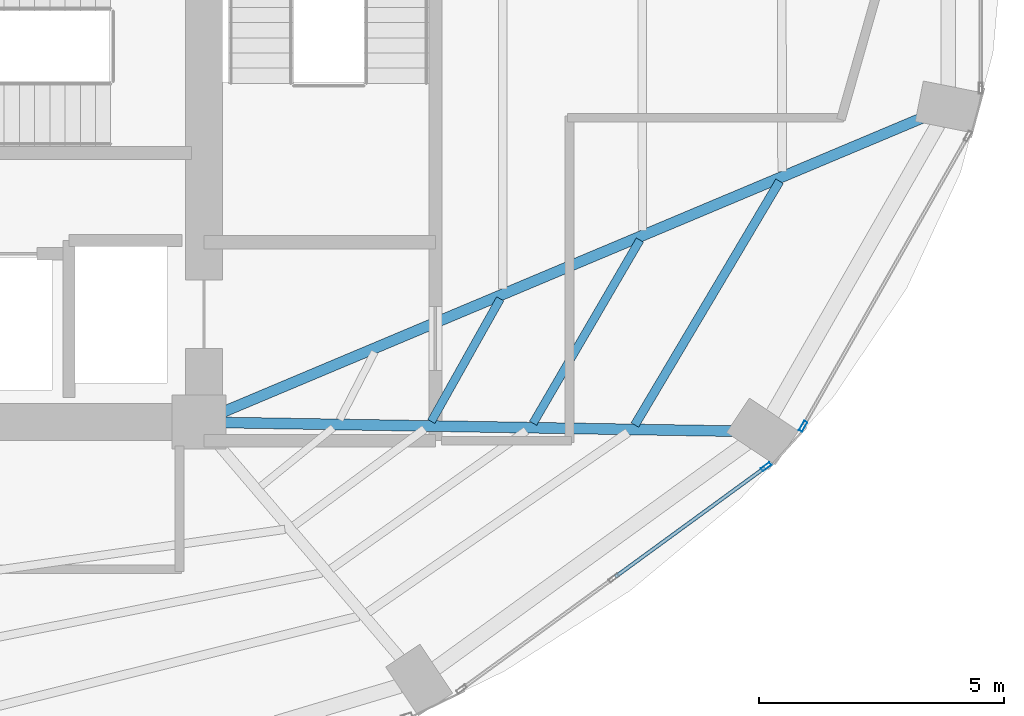
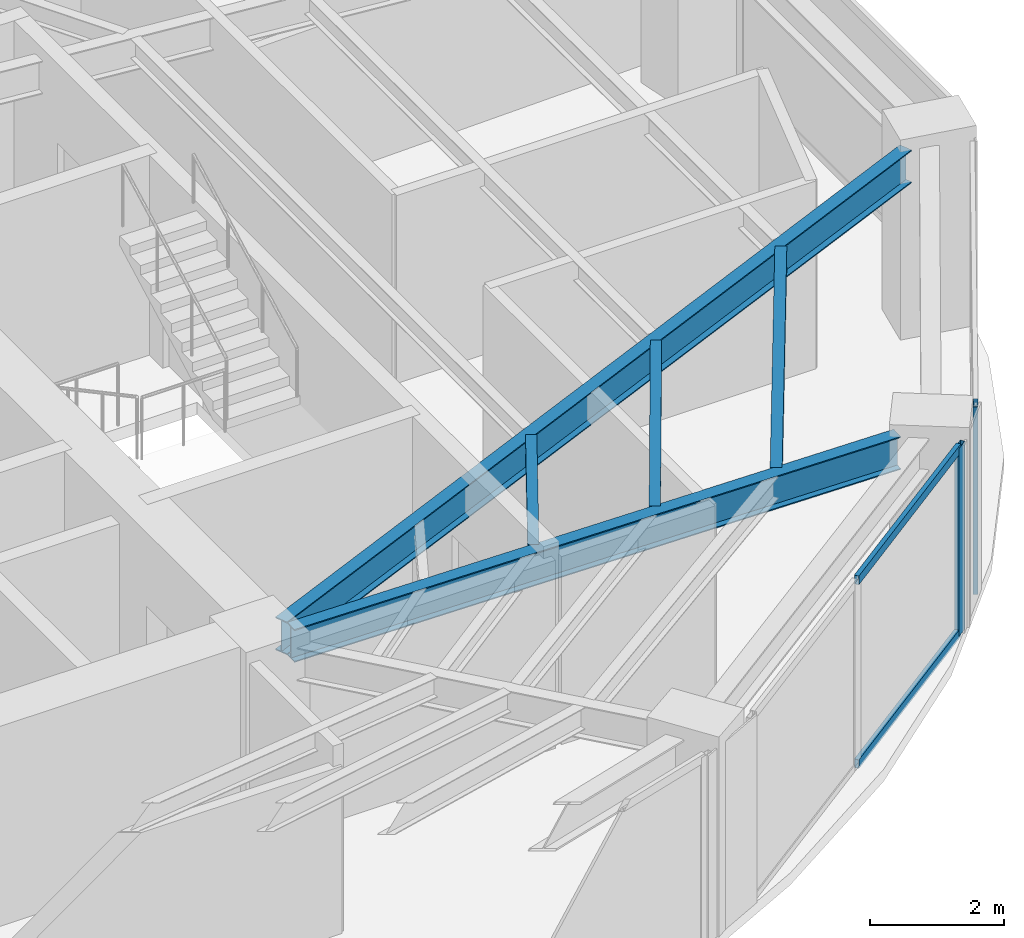
# One storey, part 11 of 23: 5 beams, 4 members, 2 elements without a shape of their own.
"""IFC4 building model written with IfcOpenShell, lengths in metres."""

from ifc_helpers import new_model, si_unit, direction, frame, origin, origin_2d, place, context, subcontext, project, spatial, hollow_rectangle, i_section, extrude, material, layer, layer_set, material_profile, profile_set, type_object, element, aggregate, save


model = new_model("IFC4")

# Units and contexts
model_context = context("Model", 3, precision=1e-05, world=origin(), true_north=direction((0.0, 1.0)))
body_context = subcontext(model_context, "Body", "Model", "MODEL_VIEW")
ifc_project = project(units=[si_unit("LENGTHUNIT", "METRE"), si_unit("AREAUNIT", "SQUARE_METRE"), si_unit("VOLUMEUNIT", "CUBIC_METRE"), si_unit("PLANEANGLEUNIT", "RADIAN"), si_unit("MASSUNIT", "GRAM", prefix="KILO")], contexts=[model_context])

# Site, building, storey
site_placement = place(None, origin())
site = spatial("IfcSite", under=ifc_project, at=site_placement, CompositionType="ELEMENT")
building_placement = place(site_placement, origin())
building = spatial("IfcBuilding", under=site, at=building_placement, Name="Lazwardi Medical Tower", CompositionType="ELEMENT")
storey_placement = place(building_placement, frame((0.0, 0.0, 125.52001953125)))
storey = spatial("IfcBuildingStorey", under=building, at=storey_placement, Name="L32", CompositionType="ELEMENT", Elevation=125.52001953125)

# Beams
ifc_material_1 = material(Name="Steel S355", Category="steel")
ifc_material_profile_1 = material_profile(ifc_material_1, i_section(OverallWidth=0.219970703125, OverallDepth=0.60009765625, WebThickness=0.011962890625, FlangeThickness=0.01904296875, at=origin_2d()), Name="IPE 600")
ifc_profile_set_1 = profile_set([ifc_material_profile_1], Name="Steel S355")
beam_type_1 = type_object("IfcBeamType", Name="BM-RG-W1", PredefinedType="BEAM", material=ifc_profile_set_1)
beam_1_placement = place(storey_placement, frame((56.497802734375, 20.215087890625, 3.1279296875), z_axis=(-0.99985616395, 0.016960289263, 0.0), x_axis=(-0.016960289263, -0.99985616395, 0.0)))
element("IfcBeam", 1, at=beam_1_placement, inside=storey, type_object=beam_type_1, Name="Radial girder RG-02 R03 L32", PredefinedType="BEAM", context=body_context, shape_type="SweptSolid", body=[
    extrude(i_section(OverallWidth=0.219970703125, OverallDepth=0.60009765625, WebThickness=0.011962890625, FlangeThickness=0.01904296875, at=origin_2d()), origin(), (0.0, 0.0, 1.0), 10.3642578125),
])
beam_2_placement = place(storey_placement, frame((60.328369140625, 26.59521484375, 3.1279296875), z_axis=(-0.921775176005, -0.38772480563, 0.0), x_axis=(0.38772480563, -0.921775176005, 0.0)))
element("IfcBeam", 2, at=beam_2_placement, inside=storey, type_object=beam_type_1, Name="Radial girder RG-02 R04 L32", PredefinedType="BEAM", context=body_context, shape_type="SweptSolid", body=[
    extrude(i_section(OverallWidth=0.219970703125, OverallDepth=0.60009765625, WebThickness=0.011962890625, FlangeThickness=0.01904296875, at=origin_2d()), origin(), (0.0, 0.0, 1.0), 15.443359375),
])
ifc_material_profile_2 = material_profile(ifc_material_1, i_section(OverallWidth=0.179931640625, OverallDepth=0.39990234375, WebThickness=0.008544921875, FlangeThickness=0.013427734375, at=origin_2d()), Name="IPE 400")
ifc_profile_set_2 = profile_set([ifc_material_profile_2], Name="Steel S355")
beam_type_2 = type_object("IfcBeamType", Name="BM-SJ-01", PredefinedType="JOIST", material=ifc_profile_set_2)
beam_3_placement = place(storey_placement, frame((54.47900390625, 20.340576171875, 3.22802734375), z_axis=(0.510499691073, 0.859877936346, 0.0), x_axis=(-0.859877936346, 0.510499691073, 0.0)))
element("IfcBeam", 3, at=beam_3_placement, inside=storey, type_object=beam_type_2, Name="Secondary joist SJ-01 R1 B03 L32", PredefinedType="JOIST", context=body_context, shape_type="SweptSolid", body=[
    extrude(i_section(OverallWidth=0.179931640625, OverallDepth=0.39990234375, WebThickness=0.008544921875, FlangeThickness=0.013427734375, at=origin_2d()), origin(), (0.0, 0.0, 1.0), 5.776123046875),
])
ifc_material_profile_3 = material_profile(ifc_material_1, i_section(OverallWidth=0.169921875, OverallDepth=0.360107421875, WebThickness=0.008056640625, FlangeThickness=0.0126953125, at=origin_2d()), Name="IPE 360")
ifc_profile_set_3 = profile_set([ifc_material_profile_3], Name="Steel S355")
beam_type_3 = type_object("IfcBeamType", Name="BM-SJ-02", PredefinedType="JOIST", material=ifc_profile_set_3)
beam_4_placement = place(storey_placement, frame((52.405517578125, 20.376220703125, 3.248046875), z_axis=(0.503544274258, 0.86396942299, 0.0), x_axis=(-0.86396942299, 0.503544274258, 0.0)))
element("IfcBeam", 4, at=beam_4_placement, inside=storey, type_object=beam_type_3, Name="Secondary joist SJ-02 R2 B03 L32", PredefinedType="JOIST", context=body_context, shape_type="SweptSolid", body=[
    extrude(i_section(OverallWidth=0.169921875, OverallDepth=0.360107421875, WebThickness=0.008056640625, FlangeThickness=0.0126953125, at=origin_2d()), origin(), (0.0, 0.0, 1.0), 4.321044921875),
])
beam_5_placement = place(storey_placement, frame((50.33154296875, 20.412109375, 3.248046875), z_axis=(0.489860824278, 0.871800649711, 0.0), x_axis=(-0.871800649711, 0.489860824278, 0.0)))
element("IfcBeam", 5, at=beam_5_placement, inside=storey, type_object=beam_type_3, Name="Secondary joist SJ-02 R3 B03 L32", PredefinedType="JOIST", context=body_context, shape_type="SweptSolid", body=[
    extrude(i_section(OverallWidth=0.169921875, OverallDepth=0.360107421875, WebThickness=0.008056640625, FlangeThickness=0.0126953125, at=origin_2d()), origin(), (0.0, 0.0, 1.0), 2.8662109375),
])

# Curtain wall, member
ifc_material_2 = material(Name="Anodised bronze aluminium and solar control glazing", Category="aluminium")
ifc_layer = layer(ifc_material_2, 0.195068359375)
ifc_layer_set = layer_set([ifc_layer], Name="Anodised bronze aluminium and solar control glazing")
curtain_wall_type = type_object("IfcCurtainWallType", Name="CW-SYS-03", PredefinedType="NOTDEFINED", material=ifc_layer_set)
curtain_wall_1_placement = place(storey_placement, origin())
curtain_wall_1 = element("IfcCurtainWall", 6, at=curtain_wall_1_placement, inside=storey, type_object=curtain_wall_type, Name="L32 Unitised bronze curtain wall CW-03", PredefinedType="NOTDEFINED")
ifc_material_3 = material(Name="Anodised bronze aluminium", Category="aluminium")
ifc_material_profile_4 = material_profile(ifc_material_3, hollow_rectangle(XDim=0.074951171875, YDim=0.219970703125, WallThickness=0.00390625, at=origin_2d()), Name="ALU-MULLION 220x75x4")
ifc_profile_set_4 = profile_set([ifc_material_profile_4], Name="Anodised bronze aluminium")
member_type_1 = type_object("IfcMemberType", Name="CW-MUL-01", PredefinedType="MULLION", material=ifc_profile_set_4)
member_1_placement = place(storey_placement, frame((57.155029296875, 19.4912109375, 0.0), z_axis=(0.0, 0.0, 1.0), x_axis=(-0.589530882802, 0.807745837639, 0.0)))
member_1 = element("IfcMember", 7, at=member_1_placement, type_object=member_type_1, Name="CW-03 mullion 3", PredefinedType="MULLION", context=body_context, shape_type="SweptSolid", body=[
    extrude(hollow_rectangle(XDim=0.074951171875, YDim=0.219970703125, WallThickness=0.00390625, at=origin_2d()), origin(), (0.0, 0.0, 1.0), 3.427978515625),
])

curtain_wall_2_placement = place(storey_placement, origin())
curtain_wall_2 = element("IfcCurtainWall", 8, at=curtain_wall_2_placement, inside=storey, type_object=curtain_wall_type, Name="L32 Unitised bronze curtain wall CW-03", PredefinedType="NOTDEFINED")
member_2_placement = place(storey_placement, frame((57.9072265625, 20.314208984375, 0.0), z_axis=(0.0, 0.0, 1.0), x_axis=(-0.869687265712, 0.493603140041, 0.0)))
member_2 = element("IfcMember", 9, at=member_2_placement, type_object=member_type_1, Name="CW-03 mullion 1", PredefinedType="MULLION", context=body_context, shape_type="SweptSolid", body=[
    extrude(hollow_rectangle(XDim=0.074951171875, YDim=0.219970703125, WallThickness=0.00390625, at=origin_2d()), origin(), (0.0, 0.0, 1.0), 3.427978515625),
])
aggregate(curtain_wall_2, [member_2])

# Member
ifc_material_profile_5 = material_profile(ifc_material_3, hollow_rectangle(XDim=0.074951171875, YDim=0.159912109375, WallThickness=0.00390625, at=origin_2d()), Name="ALU-TRANSOM 160x75x4")
ifc_profile_set_5 = profile_set([ifc_material_profile_5], Name="Anodised bronze aluminium")
member_type_2 = type_object("IfcMemberType", Name="CW-TRN-01", PredefinedType="USERDEFINED", material=ifc_profile_set_5)
member_3_placement = place(storey_placement, frame((54.081298828125, 17.247802734375, 0.03759765625), z_axis=(0.807731734271, 0.589550206049, 0.0), x_axis=(-0.589550206049, 0.807731734271, 0.0)))
member_3 = element("IfcMember", 10, at=member_3_placement, type_object=member_type_2, Name="CW-03 transom 2.1", ObjectType="TRANSOM", PredefinedType="USERDEFINED", context=body_context, shape_type="SweptSolid", body=[
    extrude(hollow_rectangle(XDim=0.074951171875, YDim=0.159912109375, WallThickness=0.00390625, at=origin_2d()), origin(), (0.0, 0.0, 1.0), 3.767578125),
])

member_4_placement = place(storey_placement, frame((54.081298828125, 17.247802734375, 3.390380859375), z_axis=(0.807731734271, 0.589550206049, 0.0), x_axis=(-0.589550206049, 0.807731734271, 0.0)))
member_4 = element("IfcMember", 11, at=member_4_placement, type_object=member_type_2, Name="CW-03 transom 2.2", ObjectType="TRANSOM", PredefinedType="USERDEFINED", context=body_context, shape_type="SweptSolid", body=[
    extrude(hollow_rectangle(XDim=0.074951171875, YDim=0.159912109375, WallThickness=0.00390625, at=origin_2d()), origin(), (0.0, 0.0, 1.0), 3.767578125),
])

aggregate(curtain_wall_1, [member_1, member_3, member_4])

save(model, "model.ifc")
